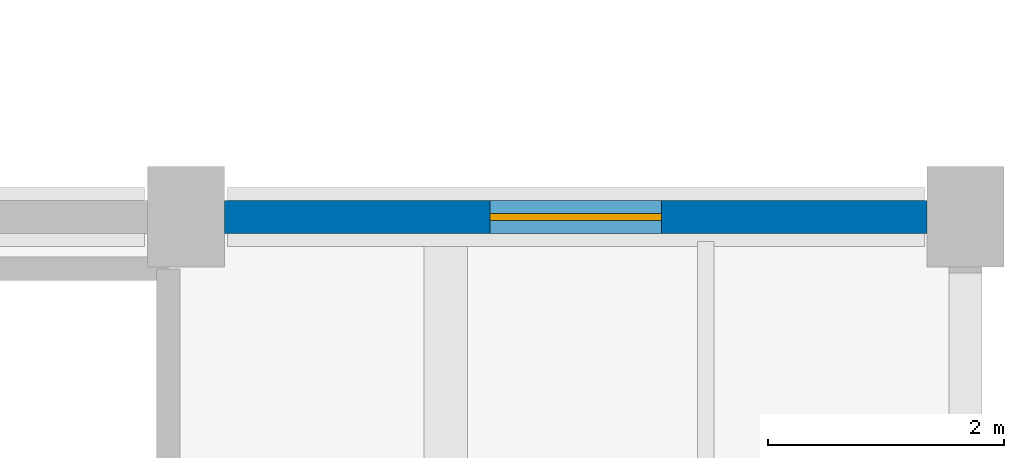
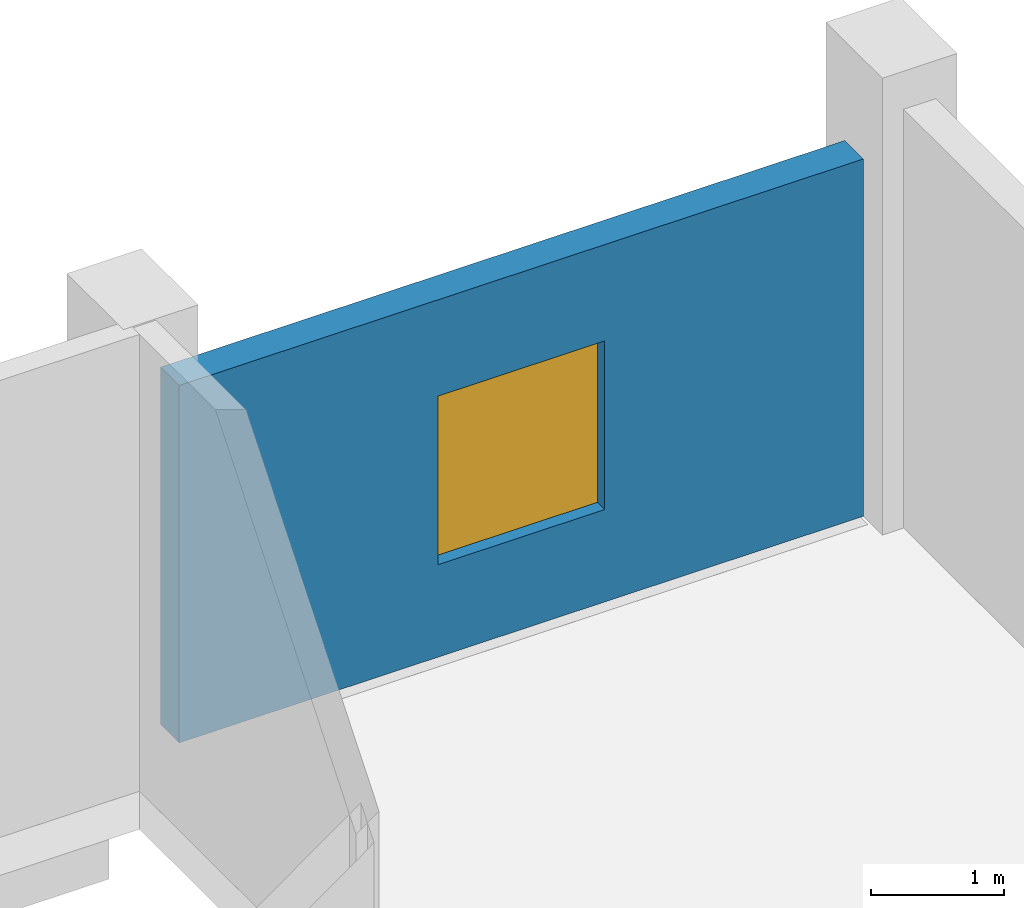
# One storey, part 52 of 68: 1 wall, 1 window, 1 opening.
"""IFC4 building model written with IfcOpenShell, lengths in metres."""

from ifc_helpers import new_model, si_unit, direction, frame, frame_2d, origin, place, context, subcontext, project, spatial, rectangle, extrude, material, layer, layer_set, type_object, element, fill, save


model = new_model("IFC4")

# Units and contexts
model_context = context("Model", 3, precision=1e-05, world=origin(), true_north=direction((0.0, 1.0)))
body_context = subcontext(model_context, "Body", "Model", "MODEL_VIEW")
ifc_project = project(units=[si_unit("LENGTHUNIT", "METRE"), si_unit("AREAUNIT", "SQUARE_METRE"), si_unit("VOLUMEUNIT", "CUBIC_METRE"), si_unit("PLANEANGLEUNIT", "RADIAN"), si_unit("MASSUNIT", "GRAM", prefix="KILO")], contexts=[model_context])

# Site, building, storey
site_placement = place(None, origin())
site = spatial("IfcSite", under=ifc_project, at=site_placement, CompositionType="ELEMENT")
building_placement = place(site_placement, origin())
building = spatial("IfcBuilding", under=site, at=building_placement, Name="Ciguamira Faculty of Natural Sciences", CompositionType="ELEMENT")
storey_placement = place(building_placement, frame((0.0, 0.0, 4.199951171875)))
storey = spatial("IfcBuildingStorey", under=building, at=storey_placement, Name="L01", CompositionType="ELEMENT", Elevation=4.199951171875)

# Wall, opening, window
ifc_material_1 = material(Name="Precast concrete C40/50", Category="concrete")
ifc_layer = layer(ifc_material_1, 0.280029296875, Name="Precast concrete C40/50")
ifc_layer_set = layer_set([ifc_layer], Name="Precast concrete C40/50")
wall_type = type_object("IfcWallType", Name="ExtWall_EW-01_280", PredefinedType="SOLIDWALL", material=ifc_layer_set)
wall_placement = place(storey_placement, frame((163.22509765625, 24.0, 0.0), z_axis=(0.0, 0.0, 1.0), x_axis=(1.0, 0.0, 0.0)))
wall = element("IfcWall", 1, at=wall_placement, inside=storey, type_object=wall_type, Name="L01 exterior wall 0158", PredefinedType="SOLIDWALL", context=body_context, shape_type="SweptSolid", body=[
    extrude(rectangle(XDim=5.949951171875, YDim=0.280029296875, at=frame_2d((2.97509765625, 0.0))), origin(), (0.0, 0.0, 1.0), 3.28515625),
])
opening_placement = place(wall_placement, frame((2.25, 0.0, 0.85009765625)))
opening = element("IfcOpeningElement", 2, at=opening_placement, cuts=wall, Name="Opening WT-38", PredefinedType="OPENING", context=body_context, shape_type="SweptSolid", body=[
    extrude(rectangle(XDim=1.449951171875, YDim=1.550048828125, at=frame_2d((0.72509765625, 0.77490234375))), frame((0.0, 0.14990234375, 0.0), z_axis=(0.0, -1.0, 0.0), x_axis=(1.0, 0.0, 0.0)), (0.0, 0.0, 1.0), 0.300048828125),
])
ifc_material_2 = material(Name="Hurricane laminated solar glass", Category="glass")
window_type = type_object("IfcWindowType", Name="Window_WT-38_1450x1550", PartitioningType="DOUBLE_PANEL_VERTICAL", PredefinedType="WINDOW", material=ifc_material_2)
window_placement = place(opening_placement, origin())
window = element("IfcWindow", 3, at=window_placement, inside=storey, type_object=window_type, Name="L01 facade window 0074", OverallHeight=1.550048828125, OverallWidth=1.449951171875, PartitioningType="SINGLE_PANEL", PredefinedType="WINDOW", context=body_context, shape_type="SweptSolid", body=[
    extrude(rectangle(XDim=1.449951171875, YDim=1.550048828125, at=frame_2d((0.72509765625, 0.77490234375))), frame((0.0, 0.030029296875, 0.0), z_axis=(0.0, -1.0, 0.0), x_axis=(1.0, 0.0, 0.0)), (0.0, 0.0, 1.0), 0.06005859375),
])
fill(opening, window)

save(model, "model.ifc")
